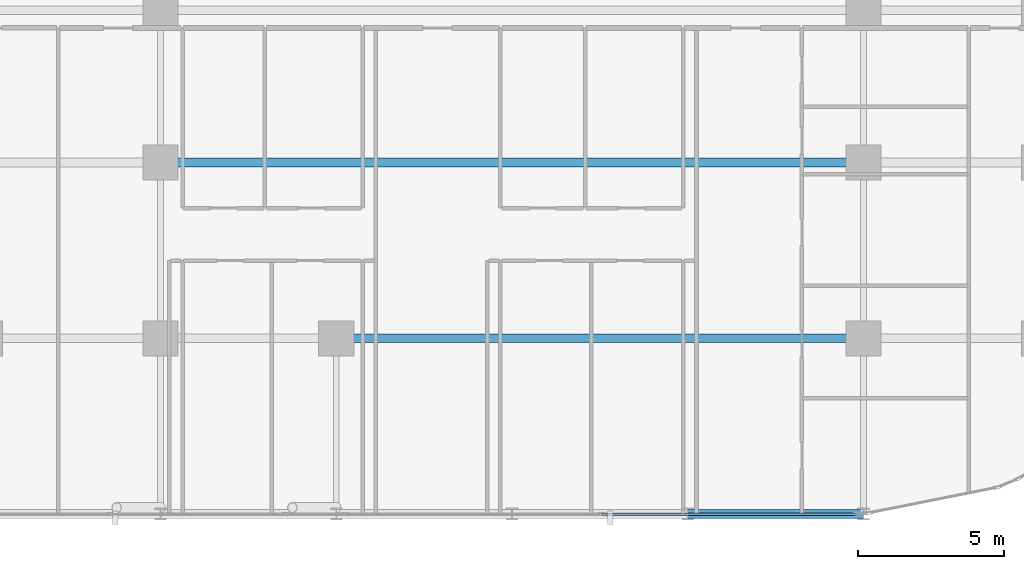
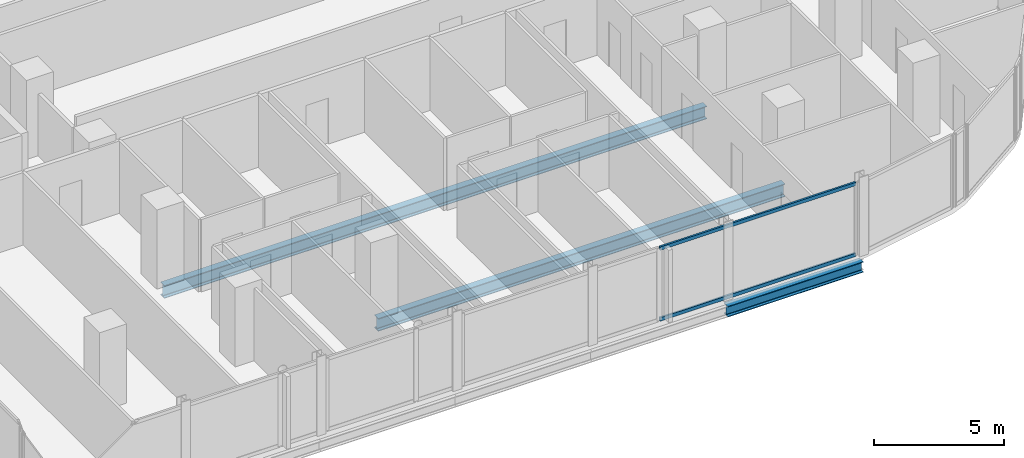
# One storey, part 9 of 34: 3 beams, 2 members, 1 element without a shape of its own.
"""IFC4 building model written with IfcOpenShell, lengths in metres."""

from ifc_helpers import new_model, si_unit, direction, frame, origin, origin_2d, place, context, subcontext, project, spatial, hollow_rectangle, i_section, extrude, material, layer, layer_set, material_profile, profile_set, type_object, element, aggregate, save


model = new_model("IFC4")

# Units and contexts
model_context = context("Model", 3, precision=1e-05, world=origin(), true_north=direction((0.0, 1.0)))
body_context = subcontext(model_context, "Body", "Model", "MODEL_VIEW")
ifc_project = project(units=[si_unit("LENGTHUNIT", "METRE"), si_unit("AREAUNIT", "SQUARE_METRE"), si_unit("VOLUMEUNIT", "CUBIC_METRE"), si_unit("PLANEANGLEUNIT", "RADIAN"), si_unit("MASSUNIT", "GRAM", prefix="KILO")], contexts=[model_context])

# Site, building, storey
site_placement = place(None, origin())
site = spatial("IfcSite", under=ifc_project, at=site_placement, CompositionType="ELEMENT")
building_placement = place(site_placement, origin())
building = spatial("IfcBuilding", under=site, at=building_placement, Name="Keshet Zoharim Tower", CompositionType="ELEMENT")
storey_placement = place(building_placement, frame((0.0, 0.0, 70.10009765625)))
storey = spatial("IfcBuildingStorey", under=building, at=storey_placement, Name="L16", CompositionType="ELEMENT", Elevation=70.10009765625)

# Beams
ifc_material_1 = material(Name="Steel S355", Category="steel")
ifc_material_profile_1 = material_profile(ifc_material_1, i_section(OverallWidth=0.300048828125, OverallDepth=0.60009765625, WebThickness=0.015380859375, FlangeThickness=0.030029296875, FilletRadius=0.027099609375, at=origin_2d()), Name="HEB600")
ifc_profile_set_1 = profile_set([ifc_material_profile_1], Name="Steel S355")
beam_type_1 = type_object("IfcBeamType", Name="BM-LNG-HB600", PredefinedType="BEAM", material=ifc_profile_set_1)
beam_1_placement = place(storey_placement, frame((39.0, 6.699951171875, -0.614990234375), z_axis=(1.0, 0.0, 0.0), x_axis=(0.0, 1.0, 0.0)))
element("IfcBeam", 1, at=beam_1_placement, inside=storey, type_object=beam_type_1, Name="L16 Primary Girder X-009", PredefinedType="BEAM", context=body_context, shape_type="SweptSolid", body=[
    extrude(i_section(OverallWidth=0.300048828125, OverallDepth=0.60009765625, WebThickness=0.015380859375, FlangeThickness=0.030029296875, FilletRadius=0.027099609375, at=origin_2d()), origin(), (0.0, 0.0, 1.0), 18.0),
])
beam_2_placement = place(storey_placement, frame((33.0, 12.699951171875, -0.614990234375), z_axis=(1.0, 0.0, 0.0), x_axis=(0.0, 1.0, 0.0)))
element("IfcBeam", 2, at=beam_2_placement, inside=storey, type_object=beam_type_1, Name="L16 Primary Girder X-012", PredefinedType="BEAM", context=body_context, shape_type="SweptSolid", body=[
    extrude(i_section(OverallWidth=0.300048828125, OverallDepth=0.60009765625, WebThickness=0.015380859375, FlangeThickness=0.030029296875, FilletRadius=0.027099609375, at=origin_2d()), origin(), (0.0, 0.0, 1.0), 24.0),
])
ifc_material_profile_2 = material_profile(ifc_material_1, i_section(OverallWidth=0.300048828125, OverallDepth=0.5, WebThickness=0.014404296875, FlangeThickness=0.028076171875, FilletRadius=0.027099609375, at=origin_2d()), Name="HEB500")
ifc_profile_set_2 = profile_set([ifc_material_profile_2], Name="Steel S355")
beam_type_2 = type_object("IfcBeamType", Name="BM-WEB-HB500", PredefinedType="BEAM", material=ifc_profile_set_2)
beam_3_placement = place(storey_placement, frame((51.0, 0.699951171875, -0.565185546875), z_axis=(1.0, 0.0, 0.0), x_axis=(0.0, 1.0, 0.0)))
element("IfcBeam", 3, at=beam_3_placement, inside=storey, type_object=beam_type_2, Name="L16 Primary Girder X-005", PredefinedType="BEAM", context=body_context, shape_type="SweptSolid", body=[
    extrude(i_section(OverallWidth=0.300048828125, OverallDepth=0.5, WebThickness=0.014404296875, FlangeThickness=0.028076171875, FilletRadius=0.027099609375, at=origin_2d()), origin(), (0.0, 0.0, 1.0), 6.0),
])

# Curtain wall, members
ifc_material_2 = material(Name="Aluminium 6063-T6", Category="aluminium")
ifc_layer = layer(ifc_material_2, 0.179931640625)
ifc_layer_set = layer_set([ifc_layer], Name="Aluminium 6063-T6")
curtain_wall_type = type_object("IfcCurtainWallType", Name="CW-SYS-01", PredefinedType="NOTDEFINED", material=ifc_layer_set)
curtain_wall_placement = place(storey_placement, origin())
curtain_wall = element("IfcCurtainWall", 4, at=curtain_wall_placement, inside=storey, type_object=curtain_wall_type, Name="L16 Unitised Curtain Wall 26", PredefinedType="NOTDEFINED")
ifc_material_profile_3 = material_profile(ifc_material_2, hollow_rectangle(XDim=0.0849609375, YDim=0.159912109375, WallThickness=0.00439453125, at=origin_2d()), Name="TRN-85x160")
ifc_profile_set_3 = profile_set([ifc_material_profile_3], Name="Aluminium 6063-T6")
member_type = type_object("IfcMemberType", Name="CWT-T16", PredefinedType="USERDEFINED", material=ifc_profile_set_3)
member_1_placement = place(storey_placement, frame((56.73291015625, 0.699951171875, 0.034912109375), z_axis=(-1.0, 0.0, 0.0), x_axis=(0.0, -1.0, 0.0)))
member_1 = element("IfcMember", 5, at=member_1_placement, type_object=member_type, Name="CW-01 transom 1.1", ObjectType="TRANSOM", PredefinedType="USERDEFINED", context=body_context, shape_type="SweptSolid", body=[
    extrude(hollow_rectangle(XDim=0.0849609375, YDim=0.159912109375, WallThickness=0.00439453125, at=origin_2d()), origin(), (0.0, 0.0, 1.0), 8.6650390625),
])
member_2_placement = place(storey_placement, frame((56.73291015625, 0.699951171875, 3.349853515625), z_axis=(-1.0, 0.0, 0.0), x_axis=(0.0, -1.0, 0.0)))
member_2 = element("IfcMember", 6, at=member_2_placement, type_object=member_type, Name="CW-01 transom 1.2", ObjectType="TRANSOM", PredefinedType="USERDEFINED", context=body_context, shape_type="SweptSolid", body=[
    extrude(hollow_rectangle(XDim=0.0849609375, YDim=0.159912109375, WallThickness=0.00439453125, at=origin_2d()), origin(), (0.0, 0.0, 1.0), 8.6650390625),
])
aggregate(curtain_wall, [member_1, member_2])

save(model, "model.ifc")
